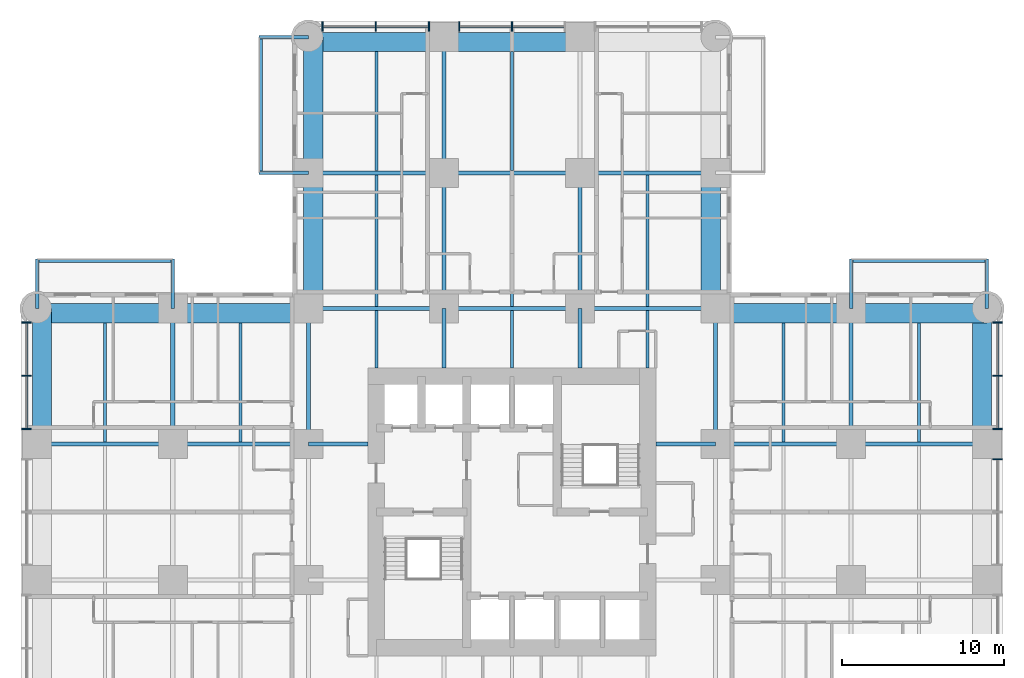
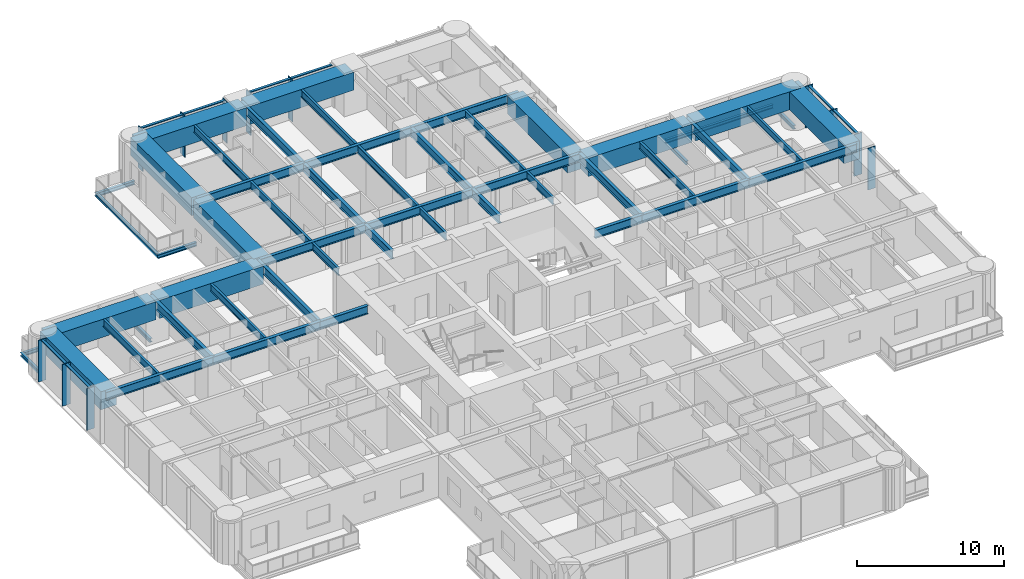
# One storey, part 4 of 17: 53 beams, 20 members, 3 elements without a shape of their own.
"""IFC4 building model written with IfcOpenShell, lengths in metres."""

import ifcopenshell
import ifcopenshell.guid

model = None  # the IFC model being written
_history = None  # IfcOwnerHistory: only IFC2X3 demands one
_inside = {}  # id of a spatial element -> (the spatial element, [elements in it])
_under = {}  # id of a project, library or spatial element -> (it, [spatial elements below it])
_declared = {}  # id of a project -> (the project, [libraries it declares])
_typed = {}  # id of a type object -> (the type object, [elements of that type])
_made_of = {}  # id of a material, layer set ... -> (it, [elements and type objects made of it])


def new_model(schema):
    """Start an empty IFC model of exactly this schema.

    Asked for "IFC4X3", IfcOpenShell would pick the latest addendum, in which some entities
    have other attributes; the version numbers below select the first issue.
    IFC2X3 requires an IfcOwnerHistory on every rooted entity: one is made here for all.
    """
    global model, _history
    if schema == "IFC4X3":
        model = ifcopenshell.file(schema_version=(4, 3, 0, 0))
    else:
        model = ifcopenshell.file(schema=schema)
    _inside.clear()
    _under.clear()
    _declared.clear()
    _typed.clear()
    _made_of.clear()
    _history = None
    if model.schema == "IFC2X3":
        org = make("IfcOrganization", Name="unknown")
        user = make(
            "IfcPersonAndOrganization",
            ThePerson=make("IfcPerson", FamilyName="unknown"),
            TheOrganization=org,
        )
        app = make(
            "IfcApplication",
            ApplicationDeveloper=org,
            Version="unknown",
            ApplicationFullName="unknown",
            ApplicationIdentifier="unknown",
        )
        _history = make(
            "IfcOwnerHistory",
            OwningUser=user,
            OwningApplication=app,
            ChangeAction="ADDED",
            CreationDate=0,
        )
    return model


def make(cls, **values):
    """One entity of the class cls with the attributes given. An attribute that is None is left unset."""
    return model.create_entity(
        cls, **{name: value for name, value in values.items() if value is not None}
    )


def rooted(cls, **values):
    """An entity with a GlobalId (a new one), such as an element, a storey or a relation."""
    return make(cls, GlobalId=ifcopenshell.guid.new(), OwnerHistory=_history, **values)


def si_unit(unit_type, name, prefix=None):
    """IfcSIUnit, for example si_unit("LENGTHUNIT", "METRE", prefix="MILLI")."""
    return make("IfcSIUnit", UnitType=unit_type, Prefix=prefix, Name=name)


def assignment(units):
    """IfcUnitAssignment: the units of a project."""
    return None if units is None else make("IfcUnitAssignment", Units=units)


def point(xyz):
    """IfcCartesianPoint."""
    return None if xyz is None else make("IfcCartesianPoint", Coordinates=xyz)


def direction(xyz):
    """IfcDirection."""
    return None if xyz is None else make("IfcDirection", DirectionRatios=xyz)


def frame(location, z_axis=None, x_axis=None):
    """IfcAxis2Placement3D, a coordinate frame: its origin and axes. An axis left out is left unset."""
    return make(
        "IfcAxis2Placement3D",
        Location=point(location),
        Axis=direction(z_axis),
        RefDirection=direction(x_axis),
    )


def frame_2d(location, x_axis=None):
    """IfcAxis2Placement2D, a coordinate frame in the plane: its origin and x axis."""
    return make(
        "IfcAxis2Placement2D", Location=point(location), RefDirection=direction(x_axis)
    )


def origin():
    """The frame at (0, 0, 0) with its axes left unset."""
    return frame((0.0, 0.0, 0.0))


def origin_2d():
    """The frame at (0, 0) in the plane with its x axis left unset."""
    return frame_2d((0.0, 0.0))


def place(relative_to, where):
    """IfcLocalPlacement: puts the frame where relative to a parent placement (None: the world)."""
    return make(
        "IfcLocalPlacement", PlacementRelTo=relative_to, RelativePlacement=where
    )


def context(
    kind, dimensions, precision=None, world=None, true_north=None, identifier=None
):
    """IfcGeometricRepresentationContext, for example the 3D "Model" context."""
    return make(
        "IfcGeometricRepresentationContext",
        ContextIdentifier=identifier,
        ContextType=kind,
        CoordinateSpaceDimension=dimensions,
        Precision=precision,
        WorldCoordinateSystem=world,
        TrueNorth=true_north,
    )


def subcontext(parent, identifier, kind, view, scale=None):
    """IfcGeometricRepresentationSubContext, for example "Body" below "Model"."""
    return make(
        "IfcGeometricRepresentationSubContext",
        ContextIdentifier=identifier,
        ContextType=kind,
        ParentContext=parent,
        TargetScale=scale,
        TargetView=view,
    )


def project(units=None, contexts=None):
    """IfcProject with its units and contexts."""
    return rooted(
        "IfcProject",
        Name="project",
        RepresentationContexts=contexts,
        UnitsInContext=assignment(units),
    )


def spatial(cls, under=None, at=None, **own):
    """A site, building, storey or space (cls), placed at a placement, below another one or the project."""
    s = rooted(cls, ObjectPlacement=at, **own)
    if under is not None:
        _under.setdefault(under.id(), (under, []))[1].append(s)
    return s


def profile(cls, at=None, kind="AREA", **sizes):
    """A parametric profile (cls). Its sizes go by their IFC names, for example OverallWidth=200.0."""
    return make(cls, ProfileType=kind, Position=at, **sizes)


def rectangle(**sizes):
    """IfcRectangleProfileDef."""
    return profile("IfcRectangleProfileDef", **sizes)


def i_section(**sizes):
    """IfcIShapeProfileDef."""
    return profile("IfcIShapeProfileDef", **sizes)


def extrude(swept, where, along, depth):
    """IfcExtrudedAreaSolid: the profile swept, set in the frame where, extruded along a direction by depth."""
    return make(
        "IfcExtrudedAreaSolid",
        SweptArea=swept,
        Position=where,
        ExtrudedDirection=direction(along),
        Depth=depth,
    )


def shape(context_of_items, identifier, shape_type, items):
    """IfcShapeRepresentation: the items that make up one representation, for example the "Body"."""
    return make(
        "IfcShapeRepresentation",
        ContextOfItems=context_of_items,
        RepresentationIdentifier=identifier,
        RepresentationType=shape_type,
        Items=items,
    )


def material(Name=None, Category=None):
    """IfcMaterial."""
    return make("IfcMaterial", Name=Name, Category=Category)


def material_profile(
    of_material, cross_section, Name=None, Category=None, Priority=None
):
    """IfcMaterialProfile: a cross section and its material."""
    return make(
        "IfcMaterialProfile",
        Name=Name,
        Material=of_material,
        Profile=cross_section,
        Priority=Priority,
        Category=Category,
    )


def profile_set(profiles, Name=None, composite=None):
    """IfcMaterialProfileSet."""
    return make(
        "IfcMaterialProfileSet",
        Name=Name,
        MaterialProfiles=profiles,
        CompositeProfile=composite,
    )


def made_of(thing, what):
    """Note that an element or type object is made of a material, layer set ...; save() writes the relation."""
    if what is not None:
        _made_of.setdefault(what.id(), (what, []))[1].append(thing)
    return thing


def type_object(cls, material=None, **own):
    """A type object (cls), such as IfcWallType, which elements share."""
    return made_of(rooted(cls, **own), material)


def element(
    cls,
    number,
    at=None,
    inside=None,
    cuts=None,
    type_object=None,
    material=None,
    context=None,
    identifier="Body",
    shape_type=None,
    held_by="IfcProductDefinitionShape",
    body=None,
    shapes=None,
    **own,
):
    """One element of the class cls, such as IfcWall. Its Tag is "e" and its number.

    at: its placement. inside: the storey or other place that contains it. cuts: it is an
    opening in that element (IfcRelVoidsElement). A single representation is given by context,
    identifier, shape_type and body (its items); several are given by shapes. held_by: the class
    of the entity that holds the representations. save() writes the other relations.
    """
    e = rooted(cls, Tag="e%d" % number, ObjectPlacement=at, **own)
    if body is not None:
        shapes = [shape(context, identifier, shape_type, body)]
    if shapes is not None:
        e.Representation = make(held_by, Representations=shapes)
    if inside is not None:
        _inside.setdefault(inside.id(), (inside, []))[1].append(e)
    if cuts is not None:
        rooted(
            "IfcRelVoidsElement", RelatingBuildingElement=cuts, RelatedOpeningElement=e
        )
    if type_object is not None:
        _typed.setdefault(type_object.id(), (type_object, []))[1].append(e)
    return made_of(e, material)


def aggregate(whole, parts):
    """IfcRelAggregates: a whole, such as a stair, and the parts it consists of."""
    return rooted("IfcRelAggregates", RelatingObject=whole, RelatedObjects=parts)


def save(model, path):
    """Write the relations noted so far, then the file.

    IfcRelAggregates (storeys below a building ...), IfcRelContainedInSpatialStructure (elements
    in a storey), IfcRelDefinesByType, IfcRelAssociatesMaterial and IfcRelDeclares: one each for
    every whole, place, type object, material and project.
    """
    for whole, parts in _under.values():
        aggregate(whole, parts)
    for where, things in _inside.values():
        rooted(
            "IfcRelContainedInSpatialStructure",
            RelatedElements=things,
            RelatingStructure=where,
        )
    for kind, things in _typed.values():
        rooted("IfcRelDefinesByType", RelatedObjects=things, RelatingType=kind)
    for what, things in _made_of.values():
        rooted("IfcRelAssociatesMaterial", RelatedObjects=things, RelatingMaterial=what)
    for by, libraries in _declared.values():
        rooted("IfcRelDeclares", RelatingContext=by, RelatedDefinitions=libraries)
    model.write(path)


model = new_model("IFC4")

# Units and contexts
model_context = context("Model", 3, precision=1e-05, world=origin(), true_north=direction((0.0, 1.0)))
body_context = subcontext(model_context, "Body", "Model", "MODEL_VIEW")
ifc_project = project(units=[si_unit("LENGTHUNIT", "METRE"), si_unit("AREAUNIT", "SQUARE_METRE"), si_unit("VOLUMEUNIT", "CUBIC_METRE"), si_unit("PLANEANGLEUNIT", "RADIAN"), si_unit("MASSUNIT", "GRAM", prefix="KILO")], contexts=[model_context])

# Site, building, storey
site_placement = place(None, origin())
site = spatial("IfcSite", under=ifc_project, at=site_placement, CompositionType="ELEMENT")
building_placement = place(site_placement, origin())
building = spatial("IfcBuilding", under=site, at=building_placement, Name="Torre Alcanfor", CompositionType="ELEMENT")
storey_placement = place(building_placement, frame((0.0, 0.0, 84.89990234375)))
storey = spatial("IfcBuildingStorey", under=building, at=storey_placement, Name="L21", CompositionType="ELEMENT", Elevation=84.89990234375)

# Beams
ifc_material_1 = material(Name="Steel ASTM A992 Grade 50", Category="steel")
ifc_material_profile_1 = material_profile(ifc_material_1, i_section(OverallWidth=0.205322265625, OverallDepth=0.309814453125, WebThickness=0.00927734375, FlangeThickness=0.016357421875, at=origin_2d()), Name="W12x50")
ifc_profile_set_1 = profile_set([ifc_material_profile_1], Name="Steel ASTM A992 Grade 50")
beam_type_1 = type_object("IfcBeamType", Name="Balcony cantilever beam W12x50", PredefinedType="BEAM", material=ifc_profile_set_1)
for number, where, z_axis, x_axis, name in (
    (1, (16.800048828125, 50.39990234375, -0.354736328125), (-1.0, 0.0, 0.0), (0.0, -1.0, 0.0), "Balcony cantilever beam L21-N1 1"),
    (2, (16.800048828125, 58.800048828125, -0.354736328125), (-1.0, 0.0, 0.0), (0.0, -1.0, 0.0), "Balcony cantilever beam L21-N1 2"),
    (3, (50.39990234375, 42.0, -0.354736328125), (0.0, 1.0, 0.0), (-1.0, 0.0, 0.0), "Balcony cantilever beam L21-E1 1"),
    (4, (58.800048828125, 42.0, -0.354736328125), (0.0, 1.0, 0.0), (-1.0, 0.0, 0.0), "Balcony cantilever beam L21-E1 2"),
    (5, (8.39990234375, 42.0, -0.354736328125), (0.0, 1.0, 0.0), (-1.0, 0.0, 0.0), "Balcony cantilever beam L21-W2 1"),
    (6, (0.0, 42.0, -0.354736328125), (0.0, 1.0, 0.0), (-1.0, 0.0, 0.0), "Balcony cantilever beam L21-W2 2"),
):
    element("IfcBeam", number, at=place(storey_placement, frame(where, z_axis=z_axis, x_axis=x_axis)), inside=storey, type_object=beam_type_1, Name=name, PredefinedType="BEAM", context=body_context, shape_type="SweptSolid", body=[
        extrude(i_section(OverallWidth=0.205322265625, OverallDepth=0.309814453125, WebThickness=0.00927734375, FlangeThickness=0.016357421875, at=origin_2d()), origin(), (0.0, 0.0, 1.0), 3.050048828125),
    ])
ifc_material_2 = material(Name="Steel ASTM A992 Grade 50", Category="steel")
ifc_material_profile_2 = material_profile(ifc_material_2, i_section(OverallWidth=0.203369140625, OverallDepth=0.30224609375, WebThickness=0.007568359375, FlangeThickness=0.01318359375, at=origin_2d()), Name="W12x40")
ifc_profile_set_2 = profile_set([ifc_material_profile_2], Name="Steel ASTM A992 Grade 50")
beam_type_2 = type_object("IfcBeamType", Name="Balcony edge trimmer W12x40", PredefinedType="BEAM", material=ifc_profile_set_2)
for number, where, z_axis, x_axis, name in (
    (7, (13.851806640625, 50.39990234375, -0.35107421875), (0.0, 1.0, 0.0), (-1.0, 0.0, 0.0), "Balcony edge trimmer L21-N1"),
    (8, (50.39990234375, 44.9482421875, -0.35107421875), (1.0, 0.0, 0.0), (0.0, 1.0, 0.0), "Balcony edge trimmer L21-E1"),
):
    element("IfcBeam", number, at=place(storey_placement, frame(where, z_axis=z_axis, x_axis=x_axis)), inside=storey, type_object=beam_type_2, Name=name, PredefinedType="BEAM", context=body_context, shape_type="SweptSolid", body=[
        extrude(i_section(OverallWidth=0.203369140625, OverallDepth=0.30224609375, WebThickness=0.007568359375, FlangeThickness=0.01318359375, at=origin_2d()), origin(), (0.0, 0.0, 1.0), 8.400146484375),
    ])
beam_1_placement = place(storey_placement, frame((8.39990234375, 44.9482421875, -0.35107421875), z_axis=(-1.0, 0.0, 0.0), x_axis=(0.0, -1.0, 0.0)))
element("IfcBeam", 9, at=beam_1_placement, inside=storey, type_object=beam_type_2, Name="Balcony edge trimmer L21-W2", PredefinedType="BEAM", context=body_context, shape_type="SweptSolid", body=[
    extrude(i_section(OverallWidth=0.203369140625, OverallDepth=0.30224609375, WebThickness=0.007568359375, FlangeThickness=0.01318359375, at=origin_2d()), origin(), (0.0, 0.0, 1.0), 8.39990234375),
])

# Curtain wall, members
ifc_material_3 = material(Name="Aluminium and glass", Category="aluminium")
curtain_wall_type = type_object("IfcCurtainWallType", Name="CW-A unitised apartment glazing with vertical FIN", PredefinedType="NOTDEFINED", material=ifc_material_3)
curtain_wall_1_placement = place(storey_placement, origin())
curtain_wall_1 = element("IfcCurtainWall", 10, at=curtain_wall_1_placement, inside=storey, type_object=curtain_wall_type, Name="Curtain wall CW-A L21 2", PredefinedType="NOTDEFINED")
ifc_material_4 = material(Name="Bronze anodised aluminium", Category="aluminium")
ifc_material_profile_3 = material_profile(ifc_material_4, rectangle(XDim=0.60009765625, YDim=0.06494140625, at=origin_2d()), Name="CW-A mullion 65x600")
ifc_profile_set_3 = profile_set([ifc_material_profile_3], Name="Bronze anodised aluminium")
member_type_1 = type_object("IfcMemberType", Name="CW-A mullion with vertical FIN 65x600", PredefinedType="MULLION", material=ifc_profile_set_3)
member_1_placement = place(storey_placement, frame((-0.64990234375, 41.133056640625, 0.0), z_axis=(0.0, 0.0, 1.0), x_axis=(1.0, 0.0, 0.0)))
member_1 = element("IfcMember", 11, at=member_1_placement, type_object=member_type_1, Name="CW-A mullion 1.1", PredefinedType="MULLION", context=body_context, shape_type="SweptSolid", body=[
    extrude(rectangle(XDim=0.60009765625, YDim=0.06494140625, at=origin_2d()), origin(), (0.0, 0.0, 1.0), 3.4501953125),
])
member_2_placement = place(storey_placement, frame((-0.64990234375, 37.835205078125, 0.0), z_axis=(0.0, 0.0, 1.0), x_axis=(1.0, 0.0, 0.0)))
member_2 = element("IfcMember", 12, at=member_2_placement, type_object=member_type_1, Name="CW-A mullion 1.2", PredefinedType="MULLION", context=body_context, shape_type="SweptSolid", body=[
    extrude(rectangle(XDim=0.60009765625, YDim=0.06494140625, at=origin_2d()), origin(), (0.0, 0.0, 1.0), 3.4501953125),
])
member_3_placement = place(storey_placement, frame((-0.64990234375, 34.53759765625, 0.0), z_axis=(0.0, 0.0, 1.0), x_axis=(1.0, 0.0, 0.0)))
member_3 = element("IfcMember", 13, at=member_3_placement, type_object=member_type_1, Name="CW-A mullion 1.3", PredefinedType="MULLION", context=body_context, shape_type="SweptSolid", body=[
    extrude(rectangle(XDim=0.60009765625, YDim=0.06494140625, at=origin_2d()), origin(), (0.0, 0.0, 1.0), 3.4501953125),
])

curtain_wall_2_placement = place(storey_placement, origin())
curtain_wall_2 = element("IfcCurtainWall", 14, at=curtain_wall_2_placement, inside=storey, type_object=curtain_wall_type, Name="Curtain wall CW-A L21 8", PredefinedType="NOTDEFINED")
member_4_placement = place(storey_placement, frame((59.449951171875, 32.66259765625, 0.0), z_axis=(0.0, 0.0, 1.0), x_axis=(-1.0, 0.0, 0.0)))
member_4 = element("IfcMember", 15, at=member_4_placement, type_object=member_type_1, Name="CW-A mullion 2.3", PredefinedType="MULLION", context=body_context, shape_type="SweptSolid", body=[
    extrude(rectangle(XDim=0.60009765625, YDim=0.06494140625, at=origin_2d()), origin(), (0.0, 0.0, 1.0), 3.4501953125),
])
member_5_placement = place(storey_placement, frame((59.449951171875, 34.53759765625, 0.0), z_axis=(0.0, 0.0, 1.0), x_axis=(-1.0, 0.0, 0.0)))
member_5 = element("IfcMember", 16, at=member_5_placement, type_object=member_type_1, Name="CW-A mullion 3.1", PredefinedType="MULLION", context=body_context, shape_type="SweptSolid", body=[
    extrude(rectangle(XDim=0.60009765625, YDim=0.06494140625, at=origin_2d()), origin(), (0.0, 0.0, 1.0), 3.4501953125),
])
member_6_placement = place(storey_placement, frame((59.449951171875, 37.835205078125, 0.0), z_axis=(0.0, 0.0, 1.0), x_axis=(-1.0, 0.0, 0.0)))
member_6 = element("IfcMember", 17, at=member_6_placement, type_object=member_type_1, Name="CW-A mullion 3.2", PredefinedType="MULLION", context=body_context, shape_type="SweptSolid", body=[
    extrude(rectangle(XDim=0.60009765625, YDim=0.06494140625, at=origin_2d()), origin(), (0.0, 0.0, 1.0), 3.4501953125),
])
member_7_placement = place(storey_placement, frame((59.449951171875, 41.133056640625, 0.0), z_axis=(0.0, 0.0, 1.0), x_axis=(-1.0, 0.0, 0.0)))
member_7 = element("IfcMember", 18, at=member_7_placement, type_object=member_type_1, Name="CW-A mullion 3.3", PredefinedType="MULLION", context=body_context, shape_type="SweptSolid", body=[
    extrude(rectangle(XDim=0.60009765625, YDim=0.06494140625, at=origin_2d()), origin(), (0.0, 0.0, 1.0), 3.4501953125),
])

curtain_wall_3_placement = place(storey_placement, origin())
curtain_wall_3 = element("IfcCurtainWall", 19, at=curtain_wall_3_placement, inside=storey, type_object=curtain_wall_type, Name="Curtain wall CW-A L21 11", PredefinedType="NOTDEFINED")
member_8_placement = place(storey_placement, frame((29.39990234375, 59.449951171875, 0.0), z_axis=(0.0, 0.0, 1.0), x_axis=(0.0, -1.0, 0.0)))
member_8 = element("IfcMember", 20, at=member_8_placement, type_object=member_type_1, Name="CW-A mullion 2.2", PredefinedType="MULLION", context=body_context, shape_type="SweptSolid", body=[
    extrude(rectangle(XDim=0.60009765625, YDim=0.06494140625, at=origin_2d()), origin(), (0.0, 0.0, 1.0), 3.4501953125),
])
member_9_placement = place(storey_placement, frame((26.137451171875, 59.449951171875, 0.0), z_axis=(0.0, 0.0, 1.0), x_axis=(0.0, -1.0, 0.0)))
member_9 = element("IfcMember", 21, at=member_9_placement, type_object=member_type_1, Name="CW-A mullion 2.3", PredefinedType="MULLION", context=body_context, shape_type="SweptSolid", body=[
    extrude(rectangle(XDim=0.60009765625, YDim=0.06494140625, at=origin_2d()), origin(), (0.0, 0.0, 1.0), 3.4501953125),
])
member_10_placement = place(storey_placement, frame((24.262451171875, 59.449951171875, 0.0), z_axis=(0.0, 0.0, 1.0), x_axis=(0.0, -1.0, 0.0)))
member_10 = element("IfcMember", 22, at=member_10_placement, type_object=member_type_1, Name="CW-A mullion 3.1", PredefinedType="MULLION", context=body_context, shape_type="SweptSolid", body=[
    extrude(rectangle(XDim=0.60009765625, YDim=0.06494140625, at=origin_2d()), origin(), (0.0, 0.0, 1.0), 3.4501953125),
])
member_11_placement = place(storey_placement, frame((20.96484375, 59.449951171875, 0.0), z_axis=(0.0, 0.0, 1.0), x_axis=(0.0, -1.0, 0.0)))
member_11 = element("IfcMember", 23, at=member_11_placement, type_object=member_type_1, Name="CW-A mullion 3.2", PredefinedType="MULLION", context=body_context, shape_type="SweptSolid", body=[
    extrude(rectangle(XDim=0.60009765625, YDim=0.06494140625, at=origin_2d()), origin(), (0.0, 0.0, 1.0), 3.4501953125),
])
member_12_placement = place(storey_placement, frame((17.6669921875, 59.449951171875, 0.0), z_axis=(0.0, 0.0, 1.0), x_axis=(0.0, -1.0, 0.0)))
member_12 = element("IfcMember", 24, at=member_12_placement, type_object=member_type_1, Name="CW-A mullion 3.3", PredefinedType="MULLION", context=body_context, shape_type="SweptSolid", body=[
    extrude(rectangle(XDim=0.60009765625, YDim=0.06494140625, at=origin_2d()), origin(), (0.0, 0.0, 1.0), 3.4501953125),
])

# Member
ifc_material_5 = material(Name="Extruded aluminium", Category="aluminium")
ifc_material_profile_4 = material_profile(ifc_material_5, rectangle(XDim=0.199951171875, YDim=0.06494140625, at=origin_2d()), Name="CW-A transom 200x65")
ifc_profile_set_4 = profile_set([ifc_material_profile_4], Name="Extruded aluminium")
member_type_2 = type_object("IfcMemberType", Name="CW-A transom 65x200", PredefinedType="USERDEFINED", material=ifc_profile_set_4)
member_13_placement = place(storey_placement, frame((-0.64990234375, 41.1005859375, 3.41748046875), z_axis=(0.0, -1.0, 0.0), x_axis=(1.0, 0.0, 0.0)))
member_13 = element("IfcMember", 25, at=member_13_placement, type_object=member_type_2, Name="CW-A transom 1.1.2", ObjectType="TRANSOM", PredefinedType="USERDEFINED", context=body_context, shape_type="SweptSolid", body=[
    extrude(rectangle(XDim=0.199951171875, YDim=0.06494140625, at=origin_2d()), origin(), (0.0, 0.0, 1.0), 3.23291015625),
])

member_14_placement = place(storey_placement, frame((-0.64990234375, 37.802734375, 3.41748046875), z_axis=(0.0, -1.0, 0.0), x_axis=(1.0, 0.0, 0.0)))
member_14 = element("IfcMember", 26, at=member_14_placement, type_object=member_type_2, Name="CW-A transom 1.2.2", ObjectType="TRANSOM", PredefinedType="USERDEFINED", context=body_context, shape_type="SweptSolid", body=[
    extrude(rectangle(XDim=0.199951171875, YDim=0.06494140625, at=origin_2d()), origin(), (0.0, 0.0, 1.0), 3.232666015625),
])

aggregate(curtain_wall_1, [member_1, member_2, member_3, member_13, member_14])

member_15_placement = place(storey_placement, frame((59.449951171875, 34.570068359375, 3.41748046875), z_axis=(0.0, 1.0, 0.0), x_axis=(-1.0, 0.0, 0.0)))
member_15 = element("IfcMember", 27, at=member_15_placement, type_object=member_type_2, Name="CW-A transom 3.1.2", ObjectType="TRANSOM", PredefinedType="USERDEFINED", context=body_context, shape_type="SweptSolid", body=[
    extrude(rectangle(XDim=0.199951171875, YDim=0.06494140625, at=origin_2d()), origin(), (0.0, 0.0, 1.0), 3.232666015625),
])

member_16_placement = place(storey_placement, frame((59.449951171875, 37.86767578125, 3.41748046875), z_axis=(0.0, 1.0, 0.0), x_axis=(-1.0, 0.0, 0.0)))
member_16 = element("IfcMember", 28, at=member_16_placement, type_object=member_type_2, Name="CW-A transom 3.2.2", ObjectType="TRANSOM", PredefinedType="USERDEFINED", context=body_context, shape_type="SweptSolid", body=[
    extrude(rectangle(XDim=0.199951171875, YDim=0.06494140625, at=origin_2d()), origin(), (0.0, 0.0, 1.0), 3.23291015625),
])

aggregate(curtain_wall_2, [member_4, member_5, member_6, member_7, member_15, member_16])

member_17_placement = place(storey_placement, frame((32.6298828125, 59.449951171875, 3.41748046875), z_axis=(-1.0, 0.0, 0.0), x_axis=(0.0, -1.0, 0.0)))
member_17 = element("IfcMember", 29, at=member_17_placement, type_object=member_type_2, Name="CW-A transom 2.1.2", ObjectType="TRANSOM", PredefinedType="USERDEFINED", context=body_context, shape_type="SweptSolid", body=[
    extrude(rectangle(XDim=0.199951171875, YDim=0.06494140625, at=origin_2d()), origin(), (0.0, 0.0, 1.0), 3.197265625),
])

member_18_placement = place(storey_placement, frame((29.367431640625, 59.449951171875, 3.41748046875), z_axis=(-1.0, 0.0, 0.0), x_axis=(0.0, -1.0, 0.0)))
member_18 = element("IfcMember", 30, at=member_18_placement, type_object=member_type_2, Name="CW-A transom 2.2.2", ObjectType="TRANSOM", PredefinedType="USERDEFINED", context=body_context, shape_type="SweptSolid", body=[
    extrude(rectangle(XDim=0.199951171875, YDim=0.06494140625, at=origin_2d()), origin(), (0.0, 0.0, 1.0), 3.197509765625),
])

member_19_placement = place(storey_placement, frame((24.22998046875, 59.449951171875, 3.41748046875), z_axis=(-1.0, 0.0, 0.0), x_axis=(0.0, -1.0, 0.0)))
member_19 = element("IfcMember", 31, at=member_19_placement, type_object=member_type_2, Name="CW-A transom 3.1.2", ObjectType="TRANSOM", PredefinedType="USERDEFINED", context=body_context, shape_type="SweptSolid", body=[
    extrude(rectangle(XDim=0.199951171875, YDim=0.06494140625, at=origin_2d()), origin(), (0.0, 0.0, 1.0), 3.232666015625),
])

member_20_placement = place(storey_placement, frame((20.93212890625, 59.449951171875, 3.41748046875), z_axis=(-1.0, 0.0, 0.0), x_axis=(0.0, -1.0, 0.0)))
member_20 = element("IfcMember", 32, at=member_20_placement, type_object=member_type_2, Name="CW-A transom 3.2.2", ObjectType="TRANSOM", PredefinedType="USERDEFINED", context=body_context, shape_type="SweptSolid", body=[
    extrude(rectangle(XDim=0.199951171875, YDim=0.06494140625, at=origin_2d()), origin(), (0.0, 0.0, 1.0), 3.232666015625),
])

aggregate(curtain_wall_3, [member_8, member_9, member_17, member_18, member_10, member_11, member_12, member_19, member_20])

# Beams
ifc_material_6 = material(Name="Steel ASTM A992 Grade 50", Category="steel")
ifc_material_profile_5 = material_profile(ifc_material_6, i_section(OverallWidth=0.25390625, OverallDepth=0.683349609375, WebThickness=0.012451171875, FlangeThickness=0.01904296875, at=origin_2d()), Name="W27x94")
ifc_profile_set_5 = profile_set([ifc_material_profile_5], Name="Steel ASTM A992 Grade 50")
beam_type_3 = type_object("IfcBeamType", Name="Girder W27x94", PredefinedType="BEAM", material=ifc_profile_set_5)
beam_2_placement = place(storey_placement, frame((0.0, 33.60009765625, 3.1083984375), z_axis=(1.0, 0.0, 0.0), x_axis=(0.0, 1.0, 0.0)))
element("IfcBeam", 33, at=beam_2_placement, inside=storey, type_object=beam_type_3, Name="Beam 1G-2G under L22", PredefinedType="BEAM", context=body_context, shape_type="SweptSolid", body=[
    extrude(i_section(OverallWidth=0.25390625, OverallDepth=0.683349609375, WebThickness=0.012451171875, FlangeThickness=0.01904296875, at=origin_2d()), origin(), (0.0, 0.0, 1.0), 8.39990234375),
])
beam_3_placement = place(storey_placement, frame((8.39990234375, 33.60009765625, 3.1083984375), z_axis=(1.0, 0.0, 0.0), x_axis=(0.0, 1.0, 0.0)))
element("IfcBeam", 34, at=beam_3_placement, inside=storey, type_object=beam_type_3, Name="Beam 2G-3G under L22", PredefinedType="BEAM", context=body_context, shape_type="SweptSolid", body=[
    extrude(i_section(OverallWidth=0.25390625, OverallDepth=0.683349609375, WebThickness=0.012451171875, FlangeThickness=0.01904296875, at=origin_2d()), origin(), (0.0, 0.0, 1.0), 8.400146484375),
])
beam_4_placement = place(storey_placement, frame((42.0, 33.60009765625, 3.1083984375), z_axis=(1.0, 0.0, 0.0), x_axis=(0.0, 1.0, 0.0)))
element("IfcBeam", 35, at=beam_4_placement, inside=storey, type_object=beam_type_3, Name="Beam 6G-7G under L22", PredefinedType="BEAM", context=body_context, shape_type="SweptSolid", body=[
    extrude(i_section(OverallWidth=0.25390625, OverallDepth=0.683349609375, WebThickness=0.012451171875, FlangeThickness=0.01904296875, at=origin_2d()), origin(), (0.0, 0.0, 1.0), 8.39990234375),
])
beam_5_placement = place(storey_placement, frame((50.39990234375, 33.60009765625, 3.1083984375), z_axis=(1.0, 0.0, 0.0), x_axis=(0.0, 1.0, 0.0)))
element("IfcBeam", 36, at=beam_5_placement, inside=storey, type_object=beam_type_3, Name="Beam 7G-8G under L22", PredefinedType="BEAM", context=body_context, shape_type="SweptSolid", body=[
    extrude(i_section(OverallWidth=0.25390625, OverallDepth=0.683349609375, WebThickness=0.012451171875, FlangeThickness=0.01904296875, at=origin_2d()), origin(), (0.0, 0.0, 1.0), 8.400146484375),
])
beam_6_placement = place(storey_placement, frame((16.800048828125, 42.0, 3.1083984375), z_axis=(1.0, 0.0, 0.0), x_axis=(0.0, 1.0, 0.0)))
element("IfcBeam", 37, at=beam_6_placement, inside=storey, type_object=beam_type_3, Name="Beam 3H-4H under L22", PredefinedType="BEAM", context=body_context, shape_type="SweptSolid", body=[
    extrude(i_section(OverallWidth=0.25390625, OverallDepth=0.683349609375, WebThickness=0.012451171875, FlangeThickness=0.01904296875, at=origin_2d()), origin(), (0.0, 0.0, 1.0), 8.39990234375),
])
beam_7_placement = place(storey_placement, frame((25.199951171875, 42.0, 3.1083984375), z_axis=(1.0, 0.0, 0.0), x_axis=(0.0, 1.0, 0.0)))
element("IfcBeam", 38, at=beam_7_placement, inside=storey, type_object=beam_type_3, Name="Beam 4H-5H under L22", PredefinedType="BEAM", context=body_context, shape_type="SweptSolid", body=[
    extrude(i_section(OverallWidth=0.25390625, OverallDepth=0.683349609375, WebThickness=0.012451171875, FlangeThickness=0.01904296875, at=origin_2d()), origin(), (0.0, 0.0, 1.0), 8.400146484375),
])
for number, where, z_axis, x_axis, name in (
    (39, (33.60009765625, 42.0, 3.1083984375), (1.0, 0.0, 0.0), (0.0, 1.0, 0.0), "Beam 5H-6H under L22"),
    (40, (16.800048828125, 50.39990234375, 3.1083984375), (1.0, 0.0, 0.0), (0.0, 1.0, 0.0), "Beam 3J-4J under L22"),
):
    element("IfcBeam", number, at=place(storey_placement, frame(where, z_axis=z_axis, x_axis=x_axis)), inside=storey, type_object=beam_type_3, Name=name, PredefinedType="BEAM", context=body_context, shape_type="SweptSolid", body=[
        extrude(i_section(OverallWidth=0.25390625, OverallDepth=0.683349609375, WebThickness=0.012451171875, FlangeThickness=0.01904296875, at=origin_2d()), origin(), (0.0, 0.0, 1.0), 8.39990234375),
    ])
beam_8_placement = place(storey_placement, frame((25.199951171875, 50.39990234375, 3.1083984375), z_axis=(1.0, 0.0, 0.0), x_axis=(0.0, 1.0, 0.0)))
element("IfcBeam", 41, at=beam_8_placement, inside=storey, type_object=beam_type_3, Name="Beam 4J-5J under L22", PredefinedType="BEAM", context=body_context, shape_type="SweptSolid", body=[
    extrude(i_section(OverallWidth=0.25390625, OverallDepth=0.683349609375, WebThickness=0.012451171875, FlangeThickness=0.01904296875, at=origin_2d()), origin(), (0.0, 0.0, 1.0), 8.400146484375),
])
for number, where, z_axis, x_axis, name in (
    (42, (33.60009765625, 50.39990234375, 3.1083984375), (1.0, 0.0, 0.0), (0.0, 1.0, 0.0), "Beam 5J-6J under L22"),
    (43, (8.39990234375, 33.60009765625, 3.1083984375), (0.0, 1.0, 0.0), (-1.0, 0.0, 0.0), "Beam 2G-2H under L22"),
    (44, (16.800048828125, 33.60009765625, 3.1083984375), (0.0, 1.0, 0.0), (-1.0, 0.0, 0.0), "Beam 3G-3H under L22"),
    (45, (25.199951171875, 42.0, 3.1083984375), (0.0, 1.0, 0.0), (-1.0, 0.0, 0.0), "Beam 4H-4J under L22"),
):
    element("IfcBeam", number, at=place(storey_placement, frame(where, z_axis=z_axis, x_axis=x_axis)), inside=storey, type_object=beam_type_3, Name=name, PredefinedType="BEAM", context=body_context, shape_type="SweptSolid", body=[
        extrude(i_section(OverallWidth=0.25390625, OverallDepth=0.683349609375, WebThickness=0.012451171875, FlangeThickness=0.01904296875, at=origin_2d()), origin(), (0.0, 0.0, 1.0), 8.39990234375),
    ])
beam_9_placement = place(storey_placement, frame((25.199951171875, 50.39990234375, 3.1083984375), z_axis=(0.0, 1.0, 0.0), x_axis=(-1.0, 0.0, 0.0)))
element("IfcBeam", 46, at=beam_9_placement, inside=storey, type_object=beam_type_3, Name="Beam 4J-4K under L22", PredefinedType="BEAM", context=body_context, shape_type="SweptSolid", body=[
    extrude(i_section(OverallWidth=0.25390625, OverallDepth=0.683349609375, WebThickness=0.012451171875, FlangeThickness=0.01904296875, at=origin_2d()), origin(), (0.0, 0.0, 1.0), 8.400146484375),
])
for number, where, z_axis, x_axis, name in (
    (47, (33.60009765625, 42.0, 3.1083984375), (0.0, 1.0, 0.0), (-1.0, 0.0, 0.0), "Beam 5H-5J under L22"),
    (48, (42.0, 33.60009765625, 3.1083984375), (0.0, 1.0, 0.0), (-1.0, 0.0, 0.0), "Beam 6G-6H under L22"),
    (49, (50.39990234375, 33.60009765625, 3.1083984375), (0.0, 1.0, 0.0), (-1.0, 0.0, 0.0), "Beam 7G-7H under L22"),
):
    element("IfcBeam", number, at=place(storey_placement, frame(where, z_axis=z_axis, x_axis=x_axis)), inside=storey, type_object=beam_type_3, Name=name, PredefinedType="BEAM", context=body_context, shape_type="SweptSolid", body=[
        extrude(i_section(OverallWidth=0.25390625, OverallDepth=0.683349609375, WebThickness=0.012451171875, FlangeThickness=0.01904296875, at=origin_2d()), origin(), (0.0, 0.0, 1.0), 8.39990234375),
    ])
ifc_material_7 = material(Name="Steel ASTM A992 Grade 50", Category="steel")
ifc_material_profile_6 = material_profile(ifc_material_7, i_section(OverallWidth=0.25390625, OverallDepth=0.683349609375, WebThickness=0.012451171875, FlangeThickness=0.01904296875, at=origin_2d()), Name="W27x94")
ifc_profile_set_6 = profile_set([ifc_material_profile_6], Name="Steel ASTM A992 Grade 50")
beam_type_4 = type_object("IfcBeamType", Name="Girder, part bay W27x94", PredefinedType="BEAM", material=ifc_profile_set_6)
for number, where, z_axis, x_axis, name in (
    (50, (25.199951171875, 42.0, 3.1083984375), (0.0, -1.0, 0.0), (1.0, 0.0, 0.0), "Beam 4H-438_3 under L22"),
    (51, (33.60009765625, 42.0, 3.1083984375), (0.0, -1.0, 0.0), (1.0, 0.0, 0.0), "Beam 5H-538_3 under L22"),
    (52, (16.800048828125, 33.60009765625, 3.1083984375), (1.0, 0.0, 0.0), (0.0, 1.0, 0.0), "Beam 3G-20_5G under L22"),
    (53, (42.0, 33.60009765625, 3.1083984375), (-1.0, 0.0, 0.0), (0.0, -1.0, 0.0), "Beam 6G-38_3G under L22"),
):
    element("IfcBeam", number, at=place(storey_placement, frame(where, z_axis=z_axis, x_axis=x_axis)), inside=storey, type_object=beam_type_4, Name=name, PredefinedType="BEAM", context=body_context, shape_type="SweptSolid", body=[
        extrude(i_section(OverallWidth=0.25390625, OverallDepth=0.683349609375, WebThickness=0.012451171875, FlangeThickness=0.01904296875, at=origin_2d()), origin(), (0.0, 0.0, 1.0), 3.699951171875),
    ])
ifc_material_8 = material(Name="Concrete f'c 70 MPa", Category="concrete")
ifc_material_profile_7 = material_profile(ifc_material_8, rectangle(XDim=1.199951171875, YDim=1.5, at=origin_2d()), Name="1200x1500")
ifc_profile_set_7 = profile_set([ifc_material_profile_7], Name="Concrete f'c 70 MPa")
beam_type_5 = type_object("IfcBeamType", Name="RC perimeter beam 1200x1500", PredefinedType="BEAM", material=ifc_profile_set_7)
beam_10_placement = place(storey_placement, frame((0.0, 41.699951171875, 2.7001953125), z_axis=(1.0, 0.0, 0.0), x_axis=(0.0, 1.0, 0.0)))
element("IfcBeam", 54, at=beam_10_placement, inside=storey, type_object=beam_type_5, Name="Beam 1H-2H under L22", PredefinedType="BEAM", context=body_context, shape_type="SweptSolid", body=[
    extrude(rectangle(XDim=1.199951171875, YDim=1.5, at=origin_2d()), origin(), (0.0, 0.0, 1.0), 8.27294921875),
])
for number, where, z_axis, x_axis, name in (
    (55, (8.527099609375, 41.699951171875, 2.7001953125), (1.0, 0.0, 0.0), (0.0, 1.0, 0.0), "Beam 2H-3H under L22"),
    (56, (42.126953125, 41.699951171875, 2.7001953125), (1.0, 0.0, 0.0), (0.0, 1.0, 0.0), "Beam 6H-7H under L22"),
):
    element("IfcBeam", number, at=place(storey_placement, frame(where, z_axis=z_axis, x_axis=x_axis)), inside=storey, type_object=beam_type_5, Name=name, PredefinedType="BEAM", context=body_context, shape_type="SweptSolid", body=[
        extrude(rectangle(XDim=1.199951171875, YDim=1.5, at=origin_2d()), origin(), (0.0, 0.0, 1.0), 8.14599609375),
    ])
for number, where, z_axis, x_axis, name in (
    (57, (50.527099609375, 41.699951171875, 2.7001953125), (1.0, 0.0, 0.0), (0.0, 1.0, 0.0), "Beam 7H-8H under L22"),
    (58, (16.800048828125, 58.5, 2.7001953125), (1.0, 0.0, 0.0), (0.0, 1.0, 0.0), "Beam 3K-4K under L22"),
):
    element("IfcBeam", number, at=place(storey_placement, frame(where, z_axis=z_axis, x_axis=x_axis)), inside=storey, type_object=beam_type_5, Name=name, PredefinedType="BEAM", context=body_context, shape_type="SweptSolid", body=[
        extrude(rectangle(XDim=1.199951171875, YDim=1.5, at=origin_2d()), origin(), (0.0, 0.0, 1.0), 8.27294921875),
    ])
beam_11_placement = place(storey_placement, frame((25.326904296875, 58.5, 2.7001953125), z_axis=(1.0, 0.0, 0.0), x_axis=(0.0, 1.0, 0.0)))
element("IfcBeam", 59, at=beam_11_placement, inside=storey, type_object=beam_type_5, Name="Beam 4K-5K under L22", PredefinedType="BEAM", context=body_context, shape_type="SweptSolid", body=[
    extrude(rectangle(XDim=1.199951171875, YDim=1.5, at=origin_2d()), origin(), (0.0, 0.0, 1.0), 8.14599609375),
])
beam_12_placement = place(storey_placement, frame((0.300048828125, 33.72705078125, 2.7001953125), z_axis=(0.0, 1.0, 0.0), x_axis=(-1.0, 0.0, 0.0)))
element("IfcBeam", 60, at=beam_12_placement, inside=storey, type_object=beam_type_5, Name="Beam 1G-1H under L22", PredefinedType="BEAM", context=body_context, shape_type="SweptSolid", body=[
    extrude(rectangle(XDim=1.199951171875, YDim=1.5, at=origin_2d()), origin(), (0.0, 0.0, 1.0), 8.27294921875),
])
beam_13_placement = place(storey_placement, frame((17.10009765625, 42.126953125, 2.7001953125), z_axis=(0.0, 1.0, 0.0), x_axis=(-1.0, 0.0, 0.0)))
element("IfcBeam", 61, at=beam_13_placement, inside=storey, type_object=beam_type_5, Name="Beam 3H-3J under L22", PredefinedType="BEAM", context=body_context, shape_type="SweptSolid", body=[
    extrude(rectangle(XDim=1.199951171875, YDim=1.5, at=origin_2d()), origin(), (0.0, 0.0, 1.0), 8.14599609375),
])
beam_14_placement = place(storey_placement, frame((17.10009765625, 50.527099609375, 2.7001953125), z_axis=(0.0, 1.0, 0.0), x_axis=(-1.0, 0.0, 0.0)))
element("IfcBeam", 62, at=beam_14_placement, inside=storey, type_object=beam_type_5, Name="Beam 3J-3K under L22", PredefinedType="BEAM", context=body_context, shape_type="SweptSolid", body=[
    extrude(rectangle(XDim=1.199951171875, YDim=1.5, at=origin_2d()), origin(), (0.0, 0.0, 1.0), 8.27294921875),
])
beam_15_placement = place(storey_placement, frame((41.699951171875, 42.126953125, 2.7001953125), z_axis=(0.0, 1.0, 0.0), x_axis=(-1.0, 0.0, 0.0)))
element("IfcBeam", 63, at=beam_15_placement, inside=storey, type_object=beam_type_5, Name="Beam 6H-6J under L22", PredefinedType="BEAM", context=body_context, shape_type="SweptSolid", body=[
    extrude(rectangle(XDim=1.199951171875, YDim=1.5, at=origin_2d()), origin(), (0.0, 0.0, 1.0), 8.14599609375),
])
beam_16_placement = place(storey_placement, frame((58.5, 33.72705078125, 2.7001953125), z_axis=(0.0, 1.0, 0.0), x_axis=(-1.0, 0.0, 0.0)))
element("IfcBeam", 64, at=beam_16_placement, inside=storey, type_object=beam_type_5, Name="Beam 8G-8H under L22", PredefinedType="BEAM", context=body_context, shape_type="SweptSolid", body=[
    extrude(rectangle(XDim=1.199951171875, YDim=1.5, at=origin_2d()), origin(), (0.0, 0.0, 1.0), 8.27294921875),
])
ifc_material_9 = material(Name="Steel ASTM A992 Grade 50", Category="steel")
ifc_material_profile_8 = material_profile(ifc_material_9, i_section(OverallWidth=0.1787109375, OverallDepth=0.60205078125, WebThickness=0.010986328125, FlangeThickness=0.014892578125, at=origin_2d()), Name="W24x62")
ifc_profile_set_8 = profile_set([ifc_material_profile_8], Name="Steel ASTM A992 Grade 50")
beam_type_6 = type_object("IfcBeamType", Name="Secondary beam W24x62", PredefinedType="BEAM", material=ifc_profile_set_8)
for number, where, z_axis, x_axis, name in (
    (65, (4.199951171875, 33.72705078125, 3.149169921875), (0.0, 1.0, 0.0), (-1.0, 0.0, 0.0), "Beam 4_2G-4_2H under L22"),
    (66, (12.60009765625, 33.72705078125, 3.149169921875), (0.0, 1.0, 0.0), (-1.0, 0.0, 0.0), "Beam 12_6G-12_6H under L22"),
):
    element("IfcBeam", number, at=place(storey_placement, frame(where, z_axis=z_axis, x_axis=x_axis)), inside=storey, type_object=beam_type_6, Name=name, PredefinedType="BEAM", context=body_context, shape_type="SweptSolid", body=[
        extrude(i_section(OverallWidth=0.1787109375, OverallDepth=0.60205078125, WebThickness=0.010986328125, FlangeThickness=0.014892578125, at=origin_2d()), origin(), (0.0, 0.0, 1.0), 7.373046875),
    ])
beam_17_placement = place(storey_placement, frame((21.0, 42.126953125, 3.149169921875), z_axis=(0.0, 1.0, 0.0), x_axis=(-1.0, 0.0, 0.0)))
element("IfcBeam", 67, at=beam_17_placement, inside=storey, type_object=beam_type_6, Name="Beam 21H-21J under L22", PredefinedType="BEAM", context=body_context, shape_type="SweptSolid", body=[
    extrude(i_section(OverallWidth=0.1787109375, OverallDepth=0.60205078125, WebThickness=0.010986328125, FlangeThickness=0.014892578125, at=origin_2d()), origin(), (0.0, 0.0, 1.0), 8.14599609375),
])
beam_18_placement = place(storey_placement, frame((21.0, 50.527099609375, 3.149169921875), z_axis=(0.0, 1.0, 0.0), x_axis=(-1.0, 0.0, 0.0)))
element("IfcBeam", 68, at=beam_18_placement, inside=storey, type_object=beam_type_6, Name="Beam 21J-21K under L22", PredefinedType="BEAM", context=body_context, shape_type="SweptSolid", body=[
    extrude(i_section(OverallWidth=0.1787109375, OverallDepth=0.60205078125, WebThickness=0.010986328125, FlangeThickness=0.014892578125, at=origin_2d()), origin(), (0.0, 0.0, 1.0), 7.372802734375),
])
beam_19_placement = place(storey_placement, frame((29.39990234375, 42.126953125, 3.149169921875), z_axis=(0.0, 1.0, 0.0), x_axis=(-1.0, 0.0, 0.0)))
element("IfcBeam", 69, at=beam_19_placement, inside=storey, type_object=beam_type_6, Name="Beam 29_4H-29_4J under L22", PredefinedType="BEAM", context=body_context, shape_type="SweptSolid", body=[
    extrude(i_section(OverallWidth=0.1787109375, OverallDepth=0.60205078125, WebThickness=0.010986328125, FlangeThickness=0.014892578125, at=origin_2d()), origin(), (0.0, 0.0, 1.0), 8.14599609375),
])
beam_20_placement = place(storey_placement, frame((29.39990234375, 50.527099609375, 3.149169921875), z_axis=(0.0, 1.0, 0.0), x_axis=(-1.0, 0.0, 0.0)))
element("IfcBeam", 70, at=beam_20_placement, inside=storey, type_object=beam_type_6, Name="Beam 29_4J-29_4K under L22", PredefinedType="BEAM", context=body_context, shape_type="SweptSolid", body=[
    extrude(i_section(OverallWidth=0.1787109375, OverallDepth=0.60205078125, WebThickness=0.010986328125, FlangeThickness=0.014892578125, at=origin_2d()), origin(), (0.0, 0.0, 1.0), 7.372802734375),
])
beam_21_placement = place(storey_placement, frame((37.800048828125, 42.126953125, 3.149169921875), z_axis=(0.0, 1.0, 0.0), x_axis=(-1.0, 0.0, 0.0)))
element("IfcBeam", 71, at=beam_21_placement, inside=storey, type_object=beam_type_6, Name="Beam 37_8H-37_8J under L22", PredefinedType="BEAM", context=body_context, shape_type="SweptSolid", body=[
    extrude(i_section(OverallWidth=0.1787109375, OverallDepth=0.60205078125, WebThickness=0.010986328125, FlangeThickness=0.014892578125, at=origin_2d()), origin(), (0.0, 0.0, 1.0), 8.14599609375),
])
for number, where, z_axis, x_axis, name in (
    (72, (46.199951171875, 33.72705078125, 3.149169921875), (0.0, 1.0, 0.0), (-1.0, 0.0, 0.0), "Beam 46_2G-46_2H under L22"),
    (73, (54.60009765625, 33.72705078125, 3.149169921875), (0.0, 1.0, 0.0), (-1.0, 0.0, 0.0), "Beam 54_6G-54_6H under L22"),
):
    element("IfcBeam", number, at=place(storey_placement, frame(where, z_axis=z_axis, x_axis=x_axis)), inside=storey, type_object=beam_type_6, Name=name, PredefinedType="BEAM", context=body_context, shape_type="SweptSolid", body=[
        extrude(i_section(OverallWidth=0.1787109375, OverallDepth=0.60205078125, WebThickness=0.010986328125, FlangeThickness=0.014892578125, at=origin_2d()), origin(), (0.0, 0.0, 1.0), 7.373046875),
    ])
ifc_material_10 = material(Name="Steel ASTM A992 Grade 50", Category="steel")
ifc_material_profile_9 = material_profile(ifc_material_10, i_section(OverallWidth=0.1787109375, OverallDepth=0.60205078125, WebThickness=0.010986328125, FlangeThickness=0.014892578125, at=origin_2d()), Name="W24x62")
ifc_profile_set_9 = profile_set([ifc_material_profile_9], Name="Steel ASTM A992 Grade 50")
beam_type_7 = type_object("IfcBeamType", Name="Secondary beam, part bay W24x62", PredefinedType="BEAM", material=ifc_profile_set_9)
for number, where, z_axis, x_axis, name in (
    (74, (21.0, 38.300048828125, 3.149169921875), (0.0, 1.0, 0.0), (-1.0, 0.0, 0.0), "Beam 2138_3-21H under L22"),
    (75, (29.39990234375, 38.300048828125, 3.149169921875), (0.0, 1.0, 0.0), (-1.0, 0.0, 0.0), "Beam 29_438_3-29_4H under L22"),
    (76, (37.800048828125, 38.300048828125, 3.149169921875), (0.0, 1.0, 0.0), (-1.0, 0.0, 0.0), "Beam 37_838_3-37_8H under L22"),
):
    element("IfcBeam", number, at=place(storey_placement, frame(where, z_axis=z_axis, x_axis=x_axis)), inside=storey, type_object=beam_type_7, Name=name, PredefinedType="BEAM", context=body_context, shape_type="SweptSolid", body=[
        extrude(i_section(OverallWidth=0.1787109375, OverallDepth=0.60205078125, WebThickness=0.010986328125, FlangeThickness=0.014892578125, at=origin_2d()), origin(), (0.0, 0.0, 1.0), 3.572998046875),
    ])

save(model, "model.ifc")
